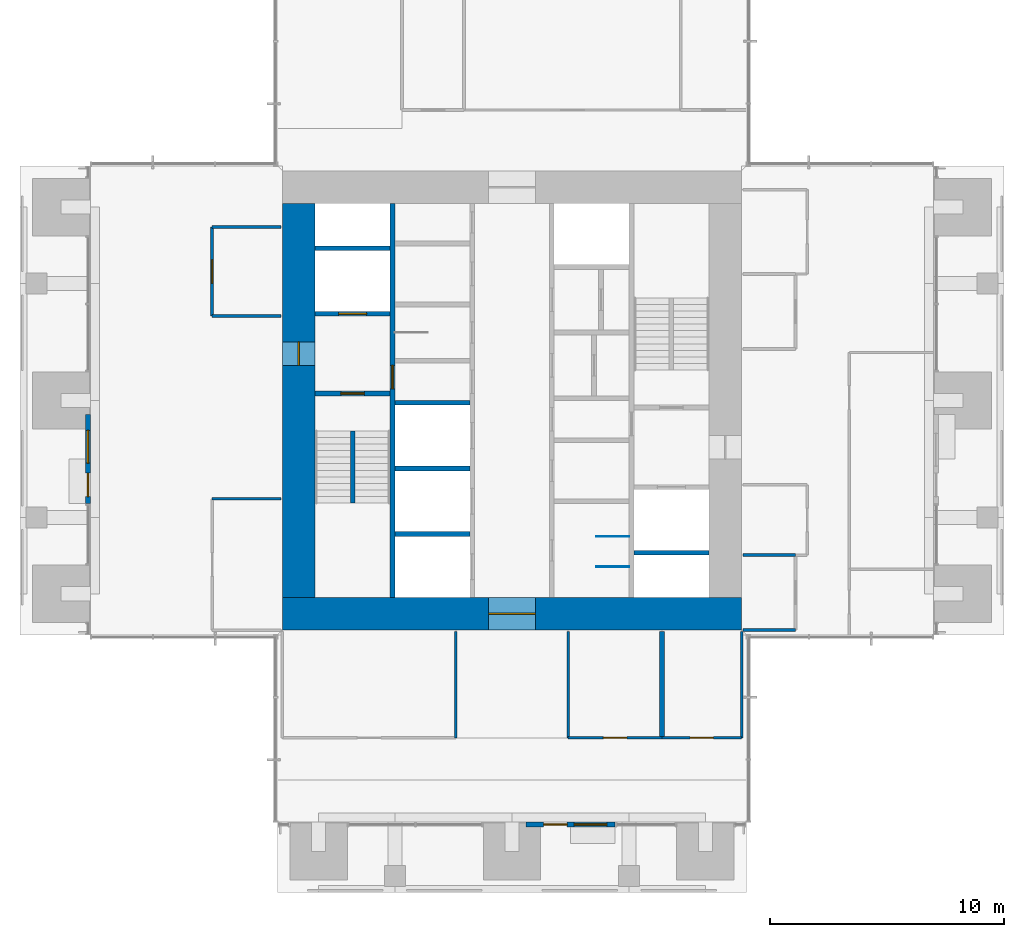
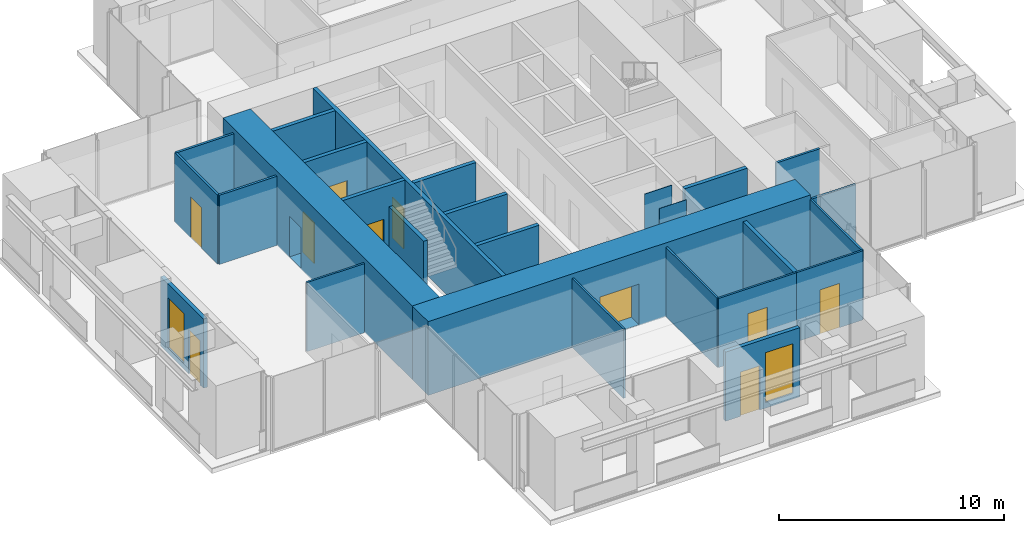
# One storey, part 12 of 17: 27 walls, 10 doors, 2 windows, 12 openings.
"""IFC4 building model written with IfcOpenShell, lengths in metres."""

import ifcopenshell
import ifcopenshell.guid

model = None  # the IFC model being written
_history = None  # IfcOwnerHistory: only IFC2X3 demands one
_inside = {}  # id of a spatial element -> (the spatial element, [elements in it])
_under = {}  # id of a project, library or spatial element -> (it, [spatial elements below it])
_declared = {}  # id of a project -> (the project, [libraries it declares])
_typed = {}  # id of a type object -> (the type object, [elements of that type])
_made_of = {}  # id of a material, layer set ... -> (it, [elements and type objects made of it])


def new_model(schema):
    """Start an empty IFC model of exactly this schema.

    Asked for "IFC4X3", IfcOpenShell would pick the latest addendum, in which some entities
    have other attributes; the version numbers below select the first issue.
    IFC2X3 requires an IfcOwnerHistory on every rooted entity: one is made here for all.
    """
    global model, _history
    if schema == "IFC4X3":
        model = ifcopenshell.file(schema_version=(4, 3, 0, 0))
    else:
        model = ifcopenshell.file(schema=schema)
    _inside.clear()
    _under.clear()
    _declared.clear()
    _typed.clear()
    _made_of.clear()
    _history = None
    if model.schema == "IFC2X3":
        org = make("IfcOrganization", Name="unknown")
        user = make(
            "IfcPersonAndOrganization",
            ThePerson=make("IfcPerson", FamilyName="unknown"),
            TheOrganization=org,
        )
        app = make(
            "IfcApplication",
            ApplicationDeveloper=org,
            Version="unknown",
            ApplicationFullName="unknown",
            ApplicationIdentifier="unknown",
        )
        _history = make(
            "IfcOwnerHistory",
            OwningUser=user,
            OwningApplication=app,
            ChangeAction="ADDED",
            CreationDate=0,
        )
    return model


def make(cls, **values):
    """One entity of the class cls with the attributes given. An attribute that is None is left unset."""
    return model.create_entity(
        cls, **{name: value for name, value in values.items() if value is not None}
    )


def rooted(cls, **values):
    """An entity with a GlobalId (a new one), such as an element, a storey or a relation."""
    return make(cls, GlobalId=ifcopenshell.guid.new(), OwnerHistory=_history, **values)


def si_unit(unit_type, name, prefix=None):
    """IfcSIUnit, for example si_unit("LENGTHUNIT", "METRE", prefix="MILLI")."""
    return make("IfcSIUnit", UnitType=unit_type, Prefix=prefix, Name=name)


def assignment(units):
    """IfcUnitAssignment: the units of a project."""
    return None if units is None else make("IfcUnitAssignment", Units=units)


def point(xyz):
    """IfcCartesianPoint."""
    return None if xyz is None else make("IfcCartesianPoint", Coordinates=xyz)


def direction(xyz):
    """IfcDirection."""
    return None if xyz is None else make("IfcDirection", DirectionRatios=xyz)


def frame(location, z_axis=None, x_axis=None):
    """IfcAxis2Placement3D, a coordinate frame: its origin and axes. An axis left out is left unset."""
    return make(
        "IfcAxis2Placement3D",
        Location=point(location),
        Axis=direction(z_axis),
        RefDirection=direction(x_axis),
    )


def frame_2d(location, x_axis=None):
    """IfcAxis2Placement2D, a coordinate frame in the plane: its origin and x axis."""
    return make(
        "IfcAxis2Placement2D", Location=point(location), RefDirection=direction(x_axis)
    )


def origin():
    """The frame at (0, 0, 0) with its axes left unset."""
    return frame((0.0, 0.0, 0.0))


def place(relative_to, where):
    """IfcLocalPlacement: puts the frame where relative to a parent placement (None: the world)."""
    return make(
        "IfcLocalPlacement", PlacementRelTo=relative_to, RelativePlacement=where
    )


def context(
    kind, dimensions, precision=None, world=None, true_north=None, identifier=None
):
    """IfcGeometricRepresentationContext, for example the 3D "Model" context."""
    return make(
        "IfcGeometricRepresentationContext",
        ContextIdentifier=identifier,
        ContextType=kind,
        CoordinateSpaceDimension=dimensions,
        Precision=precision,
        WorldCoordinateSystem=world,
        TrueNorth=true_north,
    )


def subcontext(parent, identifier, kind, view, scale=None):
    """IfcGeometricRepresentationSubContext, for example "Body" below "Model"."""
    return make(
        "IfcGeometricRepresentationSubContext",
        ContextIdentifier=identifier,
        ContextType=kind,
        ParentContext=parent,
        TargetScale=scale,
        TargetView=view,
    )


def project(units=None, contexts=None):
    """IfcProject with its units and contexts."""
    return rooted(
        "IfcProject",
        Name="project",
        RepresentationContexts=contexts,
        UnitsInContext=assignment(units),
    )


def spatial(cls, under=None, at=None, **own):
    """A site, building, storey or space (cls), placed at a placement, below another one or the project."""
    s = rooted(cls, ObjectPlacement=at, **own)
    if under is not None:
        _under.setdefault(under.id(), (under, []))[1].append(s)
    return s


def profile(cls, at=None, kind="AREA", **sizes):
    """A parametric profile (cls). Its sizes go by their IFC names, for example OverallWidth=200.0."""
    return make(cls, ProfileType=kind, Position=at, **sizes)


def rectangle(**sizes):
    """IfcRectangleProfileDef."""
    return profile("IfcRectangleProfileDef", **sizes)


def extrude(swept, where, along, depth):
    """IfcExtrudedAreaSolid: the profile swept, set in the frame where, extruded along a direction by depth."""
    return make(
        "IfcExtrudedAreaSolid",
        SweptArea=swept,
        Position=where,
        ExtrudedDirection=direction(along),
        Depth=depth,
    )


def shape(context_of_items, identifier, shape_type, items):
    """IfcShapeRepresentation: the items that make up one representation, for example the "Body"."""
    return make(
        "IfcShapeRepresentation",
        ContextOfItems=context_of_items,
        RepresentationIdentifier=identifier,
        RepresentationType=shape_type,
        Items=items,
    )


def material(Name=None, Category=None):
    """IfcMaterial."""
    return make("IfcMaterial", Name=Name, Category=Category)


def layer(
    of_material, thickness, ventilated=None, Name=None, Category=None, Priority=None
):
    """IfcMaterialLayer: one layer of a wall or slab, of a material (None: an air gap)."""
    return make(
        "IfcMaterialLayer",
        Material=of_material,
        LayerThickness=thickness,
        IsVentilated=ventilated,
        Name=Name,
        Category=Category,
        Priority=Priority,
    )


def layer_set(layers, Name=None):
    """IfcMaterialLayerSet."""
    return make("IfcMaterialLayerSet", MaterialLayers=layers, LayerSetName=Name)


def made_of(thing, what):
    """Note that an element or type object is made of a material, layer set ...; save() writes the relation."""
    if what is not None:
        _made_of.setdefault(what.id(), (what, []))[1].append(thing)
    return thing


def type_object(cls, material=None, **own):
    """A type object (cls), such as IfcWallType, which elements share."""
    return made_of(rooted(cls, **own), material)


def element(
    cls,
    number,
    at=None,
    inside=None,
    cuts=None,
    type_object=None,
    material=None,
    context=None,
    identifier="Body",
    shape_type=None,
    held_by="IfcProductDefinitionShape",
    body=None,
    shapes=None,
    **own,
):
    """One element of the class cls, such as IfcWall. Its Tag is "e" and its number.

    at: its placement. inside: the storey or other place that contains it. cuts: it is an
    opening in that element (IfcRelVoidsElement). A single representation is given by context,
    identifier, shape_type and body (its items); several are given by shapes. held_by: the class
    of the entity that holds the representations. save() writes the other relations.
    """
    e = rooted(cls, Tag="e%d" % number, ObjectPlacement=at, **own)
    if body is not None:
        shapes = [shape(context, identifier, shape_type, body)]
    if shapes is not None:
        e.Representation = make(held_by, Representations=shapes)
    if inside is not None:
        _inside.setdefault(inside.id(), (inside, []))[1].append(e)
    if cuts is not None:
        rooted(
            "IfcRelVoidsElement", RelatingBuildingElement=cuts, RelatedOpeningElement=e
        )
    if type_object is not None:
        _typed.setdefault(type_object.id(), (type_object, []))[1].append(e)
    return made_of(e, material)


def fill(opening, filler):
    """IfcRelFillsElement: the door or window that sits in an opening."""
    return rooted(
        "IfcRelFillsElement",
        RelatingOpeningElement=opening,
        RelatedBuildingElement=filler,
    )


def aggregate(whole, parts):
    """IfcRelAggregates: a whole, such as a stair, and the parts it consists of."""
    return rooted("IfcRelAggregates", RelatingObject=whole, RelatedObjects=parts)


def save(model, path):
    """Write the relations noted so far, then the file.

    IfcRelAggregates (storeys below a building ...), IfcRelContainedInSpatialStructure (elements
    in a storey), IfcRelDefinesByType, IfcRelAssociatesMaterial and IfcRelDeclares: one each for
    every whole, place, type object, material and project.
    """
    for whole, parts in _under.values():
        aggregate(whole, parts)
    for where, things in _inside.values():
        rooted(
            "IfcRelContainedInSpatialStructure",
            RelatedElements=things,
            RelatingStructure=where,
        )
    for kind, things in _typed.values():
        rooted("IfcRelDefinesByType", RelatedObjects=things, RelatingType=kind)
    for what, things in _made_of.values():
        rooted("IfcRelAssociatesMaterial", RelatedObjects=things, RelatingMaterial=what)
    for by, libraries in _declared.values():
        rooted("IfcRelDeclares", RelatingContext=by, RelatedDefinitions=libraries)
    model.write(path)


model = new_model("IFC4")

# Units and contexts
model_context = context("Model", 3, precision=1e-05, world=origin(), true_north=direction((0.0, 1.0)))
body_context = subcontext(model_context, "Body", "Model", "MODEL_VIEW")
ifc_project = project(units=[si_unit("LENGTHUNIT", "METRE"), si_unit("AREAUNIT", "SQUARE_METRE"), si_unit("VOLUMEUNIT", "CUBIC_METRE"), si_unit("PLANEANGLEUNIT", "RADIAN"), si_unit("MASSUNIT", "GRAM", prefix="KILO")], contexts=[model_context])

# Site, building, storey
site_placement = place(None, origin())
site = spatial("IfcSite", under=ifc_project, at=site_placement, CompositionType="ELEMENT")
building_placement = place(site_placement, origin())
building = spatial("IfcBuilding", under=site, at=building_placement, Name="Svetlomir Tower", CompositionType="ELEMENT")
storey_placement = place(building_placement, frame((0.0, 0.0, 226.5)))
storey = spatial("IfcBuildingStorey", under=building, at=storey_placement, Name="L54", CompositionType="ELEMENT", Elevation=226.5)

# Wall
ifc_material_1 = material(Name="Gypsum board on twin steel studs", Category="steel")
ifc_layer_1 = layer(ifc_material_1, 0.199951171875)
ifc_layer_set_1 = layer_set([ifc_layer_1], Name="Gypsum board on twin steel studs")
wall_type_1 = type_object("IfcWallType", Name="ACOUSTIC PARTITION 200", PredefinedType="PARTITIONING", material=ifc_layer_set_1)
wall_1_placement = place(storey_placement, frame((27.39990234375, 6.60009765625, 0.0), z_axis=(0.0, 0.0, 1.0), x_axis=(0.0, 1.0, 0.0)))
element("IfcWall", 1, at=wall_1_placement, inside=storey, type_object=wall_type_1, Name="Acoustic partition L54", PredefinedType="PARTITIONING", context=body_context, shape_type="SweptSolid", body=[
    extrude(rectangle(XDim=4.5498046875, YDim=0.199951171875, at=frame_2d((2.27490234375, 0.0))), origin(), (0.0, 0.0, 1.0), 3.75),
])

# Wall, openings, door, window
ifc_material_2 = material(Name="Bronze anodised aluminium glazed screen", Category="aluminium")
ifc_layer_2 = layer(ifc_material_2, 0.199951171875)
ifc_layer_set_2 = layer_set([ifc_layer_2], Name="Bronze anodised aluminium glazed screen")
wall_type_2 = type_object("IfcWallType", Name="BALCONY SCREEN WALL 200", PredefinedType="USERDEFINED", material=ifc_layer_set_2)
wall_2_placement = place(storey_placement, frame((21.60009765625, 2.89990234375, 0.0), z_axis=(0.0, 0.0, 1.0), x_axis=(1.0, 0.0, 0.0)))
wall_2 = element("IfcWall", 2, at=wall_2_placement, inside=storey, type_object=wall_type_2, Name="Balcony screen S", ObjectType="GLAZED SCREEN", PredefinedType="USERDEFINED", context=body_context, shape_type="SweptSolid", body=[
    extrude(rectangle(XDim=3.7998046875, YDim=0.199951171875, at=frame_2d((1.89990234375, 0.0))), origin(), (0.0, 0.0, 1.0), 3.75),
])
opening_1_placement = place(wall_2_placement, frame((0.75, 0.0, 0.0)))
opening_1 = element("IfcOpeningElement", 3, at=opening_1_placement, cuts=wall_2, Name="Opening BD", PredefinedType="OPENING", context=body_context, shape_type="SweptSolid", body=[
    extrude(rectangle(XDim=1.0, YDim=2.39990234375, at=frame_2d((0.5, 1.199951171875))), frame((0.0, 0.10986328125, 0.0), z_axis=(0.0, -1.0, 0.0), x_axis=(1.0, 0.0, 0.0)), (0.0, 0.0, 1.0), 0.219970703125),
])
opening_2_placement = place(wall_2_placement, frame((2.050048828125, 0.0, 0.300048828125)))
opening_2 = element("IfcOpeningElement", 4, at=opening_2_placement, cuts=wall_2, Name="Opening WS2", PredefinedType="OPENING", context=body_context, shape_type="SweptSolid", body=[
    extrude(rectangle(XDim=1.39990234375, YDim=2.699951171875, at=frame_2d((0.699951171875, 1.35009765625))), frame((0.0, 0.10986328125, 0.0), z_axis=(0.0, -1.0, 0.0), x_axis=(1.0, 0.0, 0.0)), (0.0, 0.0, 1.0), 0.219970703125),
])
ifc_material_3 = material(Name="Bronze anodised aluminium glazed door", Category="aluminium")
door_type_1 = type_object("IfcDoorType", Name="BALCONY DOOR BD 1000x2400", OperationType="SINGLE_SWING_LEFT", PredefinedType="DOOR", material=ifc_material_3)
door_1_placement = place(opening_1_placement, origin())
door_1 = element("IfcDoor", 5, at=door_1_placement, inside=storey, type_object=door_type_1, Name="Balcony screen S door", OperationType="SINGLE_SWING_LEFT", OverallHeight=2.39990234375, OverallWidth=1.0, PredefinedType="DOOR", context=body_context, shape_type="SweptSolid", body=[
    extrude(rectangle(XDim=1.0, YDim=2.39990234375, at=frame_2d((0.5, 1.199951171875))), frame((0.0, 0.02490234375, 0.0), z_axis=(0.0, -1.0, 0.0), x_axis=(1.0, 0.0, 0.0)), (0.0, 0.0, 1.0), 0.050048828125),
])
fill(opening_1, door_1)
ifc_material_4 = material(Name="Bronze anodised aluminium window", Category="aluminium")
window_type = type_object("IfcWindowType", Name="SCREEN WINDOW WS2 1400x2700", PartitioningType="SINGLE_PANEL", PredefinedType="WINDOW", material=ifc_material_4)
window_1_placement = place(opening_2_placement, origin())
window_1 = element("IfcWindow", 6, at=window_1_placement, inside=storey, type_object=window_type, Name="Balcony screen S window 1", OverallHeight=2.699951171875, OverallWidth=1.39990234375, PartitioningType="SINGLE_PANEL", PredefinedType="WINDOW", context=body_context, shape_type="SweptSolid", body=[
    extrude(rectangle(XDim=1.39990234375, YDim=2.699951171875, at=frame_2d((0.699951171875, 1.35009765625))), frame((0.0, 0.030029296875, 0.0), z_axis=(0.0, -1.0, 0.0), x_axis=(1.0, 0.0, 0.0)), (0.0, 0.0, 1.0), 0.06005859375),
])
fill(opening_2, window_1)

wall_3_placement = place(storey_placement, frame((2.89990234375, 20.39990234375, 0.0), z_axis=(0.0, 0.0, 1.0), x_axis=(0.0, -1.0, 0.0)))
wall_3 = element("IfcWall", 7, at=wall_3_placement, inside=storey, type_object=wall_type_2, Name="Balcony screen W", ObjectType="GLAZED SCREEN", PredefinedType="USERDEFINED", context=body_context, shape_type="SweptSolid", body=[
    extrude(rectangle(XDim=3.7998046875, YDim=0.199951171875, at=frame_2d((1.89990234375, 0.0))), origin(), (0.0, 0.0, 1.0), 3.75),
])
opening_3_placement = place(wall_3_placement, frame((2.5, 0.0, 0.0)))
opening_3 = element("IfcOpeningElement", 8, at=opening_3_placement, cuts=wall_3, Name="Opening BD", PredefinedType="OPENING", context=body_context, shape_type="SweptSolid", body=[
    extrude(rectangle(XDim=1.0, YDim=2.39990234375, at=frame_2d((0.5, 1.199951171875))), frame((0.0, 0.10986328125, 0.0), z_axis=(0.0, -1.0, 0.0), x_axis=(1.0, 0.0, 0.0)), (0.0, 0.0, 1.0), 0.219970703125),
])
opening_4_placement = place(wall_3_placement, frame((0.675048828125, 0.0, 0.300048828125)))
opening_4 = element("IfcOpeningElement", 9, at=opening_4_placement, cuts=wall_3, Name="Opening WS2", PredefinedType="OPENING", context=body_context, shape_type="SweptSolid", body=[
    extrude(rectangle(XDim=1.39990234375, YDim=2.699951171875, at=frame_2d((0.699951171875, 1.35009765625))), frame((0.0, 0.10986328125, 0.0), z_axis=(0.0, -1.0, 0.0), x_axis=(1.0, 0.0, 0.0)), (0.0, 0.0, 1.0), 0.219970703125),
])
door_2_placement = place(opening_3_placement, origin())
door_2 = element("IfcDoor", 10, at=door_2_placement, inside=storey, type_object=door_type_1, Name="Balcony screen W door", OperationType="SINGLE_SWING_LEFT", OverallHeight=2.39990234375, OverallWidth=1.0, PredefinedType="DOOR", context=body_context, shape_type="SweptSolid", body=[
    extrude(rectangle(XDim=1.0, YDim=2.39990234375, at=frame_2d((0.5, 1.199951171875))), frame((0.0, 0.02490234375, 0.0), z_axis=(0.0, -1.0, 0.0), x_axis=(1.0, 0.0, 0.0)), (0.0, 0.0, 1.0), 0.050048828125),
])
fill(opening_3, door_2)
window_2_placement = place(opening_4_placement, origin())
window_2 = element("IfcWindow", 11, at=window_2_placement, inside=storey, type_object=window_type, Name="Balcony screen W window 1", OverallHeight=2.699951171875, OverallWidth=1.39990234375, PartitioningType="SINGLE_PANEL", PredefinedType="WINDOW", context=body_context, shape_type="SweptSolid", body=[
    extrude(rectangle(XDim=1.39990234375, YDim=2.699951171875, at=frame_2d((0.699951171875, 1.35009765625))), frame((0.0, 0.030029296875, 0.0), z_axis=(0.0, -1.0, 0.0), x_axis=(1.0, 0.0, 0.0)), (0.0, 0.0, 1.0), 0.06005859375),
])
fill(opening_4, window_2)

# Wall, opening, door
ifc_material_5 = material(Name="Concrete C60/75", Category="concrete")
ifc_layer_3 = layer(ifc_material_5, 0.199951171875)
ifc_layer_set_3 = layer_set([ifc_layer_3], Name="Concrete C60/75")
wall_type_3 = type_object("IfcWallType", Name="CORE INNER WALL 200", PredefinedType="SHEAR", material=ifc_layer_set_3)
wall_4_placement = place(storey_placement, frame((15.89990234375, 12.60009765625, -0.050048828125), z_axis=(0.0, 0.0, 1.0), x_axis=(0.0, 1.0, 0.0)))
wall_4 = element("IfcWall", 12, at=wall_4_placement, inside=storey, type_object=wall_type_3, Name="Core inner wall 15.9 L54", PredefinedType="SHEAR", context=body_context, shape_type="SweptSolid", body=[
    extrude(rectangle(XDim=16.7998046875, YDim=0.199951171875, at=frame_2d((8.39990234375, 0.0))), origin(), (0.0, 0.0, 1.0), 4.0),
])
opening_5_placement = place(wall_4_placement, frame((8.89990234375, 0.0, 0.050048828125)))
opening_5 = element("IfcOpeningElement", 13, at=opening_5_placement, cuts=wall_4, Name="Opening DF", PredefinedType="OPENING", context=body_context, shape_type="SweptSolid", body=[
    extrude(rectangle(XDim=1.0, YDim=2.199951171875, at=frame_2d((0.5, 1.10009765625))), frame((0.0, 0.10986328125, 0.0), z_axis=(0.0, -1.0, 0.0), x_axis=(1.0, 0.0, 0.0)), (0.0, 0.0, 1.0), 0.219970703125),
])
ifc_material_6 = material(Name="Steel fire door", Category="steel")
door_type_2 = type_object("IfcDoorType", Name="DOOR DF 1000x2200", OperationType="SINGLE_SWING_LEFT", PredefinedType="DOOR", material=ifc_material_6)
door_3_placement = place(opening_5_placement, origin())
door_3 = element("IfcDoor", 14, at=door_3_placement, inside=storey, type_object=door_type_2, Name="Core corridor west door L54", OperationType="SINGLE_SWING_LEFT", OverallHeight=2.199951171875, OverallWidth=1.0, PredefinedType="DOOR", context=body_context, shape_type="SweptSolid", body=[
    extrude(rectangle(XDim=1.0, YDim=2.199951171875, at=frame_2d((0.5, 1.10009765625))), frame((0.0, 0.02490234375, 0.0), z_axis=(0.0, -1.0, 0.0), x_axis=(1.0, 0.0, 0.0)), (0.0, 0.0, 1.0), 0.050048828125),
])
fill(opening_5, door_3)

wall_5_placement = place(storey_placement, frame((12.60009765625, 21.300048828125, -0.050048828125), z_axis=(0.0, 0.0, 1.0), x_axis=(1.0, 0.0, 0.0)))
wall_5 = element("IfcWall", 15, at=wall_5_placement, inside=storey, type_object=wall_type_3, Name="Core inner wall 12.6-15.8/21.3 L54", PredefinedType="SHEAR", context=body_context, shape_type="SweptSolid", body=[
    extrude(rectangle(XDim=3.199951171875, YDim=0.199951171875, at=frame_2d((1.60009765625, 0.0))), origin(), (0.0, 0.0, 1.0), 4.0),
])
opening_6_placement = place(wall_5_placement, frame((1.10009765625, 0.0, 0.050048828125)))
opening_6 = element("IfcOpeningElement", 16, at=opening_6_placement, cuts=wall_5, Name="Opening DF", PredefinedType="OPENING", context=body_context, shape_type="SweptSolid", body=[
    extrude(rectangle(XDim=1.0, YDim=2.199951171875, at=frame_2d((0.5, 1.10009765625))), frame((0.0, 0.10986328125, 0.0), z_axis=(0.0, -1.0, 0.0), x_axis=(1.0, 0.0, 0.0)), (0.0, 0.0, 1.0), 0.219970703125),
])
door_4_placement = place(opening_6_placement, origin())
door_4 = element("IfcDoor", 17, at=door_4_placement, inside=storey, type_object=door_type_2, Name="Stair S1 door L54", OperationType="SINGLE_SWING_LEFT", OverallHeight=2.199951171875, OverallWidth=1.0, PredefinedType="DOOR", context=body_context, shape_type="SweptSolid", body=[
    extrude(rectangle(XDim=1.0, YDim=2.199951171875, at=frame_2d((0.5, 1.10009765625))), frame((0.0, 0.02490234375, 0.0), z_axis=(0.0, -1.0, 0.0), x_axis=(1.0, 0.0, 0.0)), (0.0, 0.0, 1.0), 0.050048828125),
])
fill(opening_6, door_4)

wall_6_placement = place(storey_placement, frame((12.60009765625, 24.699951171875, -0.050048828125), z_axis=(0.0, 0.0, 1.0), x_axis=(1.0, 0.0, 0.0)))
wall_6 = element("IfcWall", 18, at=wall_6_placement, inside=storey, type_object=wall_type_3, Name="Core inner wall 12.6-15.8/24.7 L54", PredefinedType="SHEAR", context=body_context, shape_type="SweptSolid", body=[
    extrude(rectangle(XDim=3.199951171875, YDim=0.199951171875, at=frame_2d((1.60009765625, 0.0))), origin(), (0.0, 0.0, 1.0), 4.0),
])
opening_7_placement = place(wall_6_placement, frame((1.0, 0.0, 0.050048828125)))
opening_7 = element("IfcOpeningElement", 19, at=opening_7_placement, cuts=wall_6, Name="Opening LD3", PredefinedType="OPENING", context=body_context, shape_type="SweptSolid", body=[
    extrude(rectangle(XDim=1.199951171875, YDim=2.199951171875, at=frame_2d((0.60009765625, 1.10009765625))), frame((0.0, 0.10986328125, 0.0), z_axis=(0.0, -1.0, 0.0), x_axis=(1.0, 0.0, 0.0)), (0.0, 0.0, 1.0), 0.219970703125),
])
ifc_material_7 = material(Name="Stainless steel fire-rated landing door", Category="steel")
door_type_3 = type_object("IfcDoorType", Name="FIREFIGHTING LIFT LANDING DOOR LD3 1200x2200", OperationType="DOUBLE_DOOR_SLIDING", PredefinedType="DOOR", material=ifc_material_7)
door_5_placement = place(opening_7_placement, origin())
door_5 = element("IfcDoor", 20, at=door_5_placement, inside=storey, type_object=door_type_3, Name="Landing door lift FL1 L54", OperationType="DOUBLE_DOOR_SLIDING", OverallHeight=2.199951171875, OverallWidth=1.199951171875, PredefinedType="DOOR", context=body_context, shape_type="SweptSolid", body=[
    extrude(rectangle(XDim=1.199951171875, YDim=2.199951171875, at=frame_2d((0.60009765625, 1.10009765625))), frame((0.0, 0.02490234375, 0.0), z_axis=(0.0, -1.0, 0.0), x_axis=(1.0, 0.0, 0.0)), (0.0, 0.0, 1.0), 0.050048828125),
])
fill(opening_7, door_5)

# Walls
for number, where, z_axis, x_axis, name in (
    (21, (12.60009765625, 27.5, -0.050048828125), (0.0, 0.0, 1.0), (1.0, 0.0, 0.0), "Core inner wall 12.6-15.8/27.5 L54"),
    (22, (16.0, 15.300048828125, -0.050048828125), (0.0, 0.0, 1.0), (1.0, 0.0, 0.0), "Core inner wall 16-19.2/15.3 L54"),
    (23, (16.0, 18.10009765625, -0.050048828125), (0.0, 0.0, 1.0), (1.0, 0.0, 0.0), "Core inner wall 16-19.2/18.1 L54"),
    (24, (16.0, 20.89990234375, -0.050048828125), (0.0, 0.0, 1.0), (1.0, 0.0, 0.0), "Core inner wall 16-19.2/20.9 L54"),
    (25, (26.199951171875, 14.5, -0.050048828125), (0.0, 0.0, 1.0), (1.0, 0.0, 0.0), "Core inner wall 26.2-29.4/14.5 L54"),
):
    element("IfcWall", number, at=place(storey_placement, frame(where, z_axis=z_axis, x_axis=x_axis)), inside=storey, type_object=wall_type_3, Name=name, PredefinedType="SHEAR", context=body_context, shape_type="SweptSolid", body=[
        extrude(rectangle(XDim=3.199951171875, YDim=0.199951171875, at=frame_2d((1.60009765625, 0.0))), origin(), (0.0, 0.0, 1.0), 4.0),
    ])

# Wall, opening, door
ifc_material_8 = material(Name="Concrete C60/75", Category="concrete")
ifc_layer_4 = layer(ifc_material_8, 1.39990234375)
ifc_layer_set_4 = layer_set([ifc_layer_4], Name="Concrete C60/75")
wall_type_4 = type_object("IfcWallType", Name="CORE WALL 1400", PredefinedType="SHEAR", material=ifc_layer_set_4)
wall_7_placement = place(storey_placement, frame((11.199951171875, 11.89990234375, -0.050048828125), z_axis=(0.0, 0.0, 1.0), x_axis=(1.0, 0.0, 0.0)))
wall_7 = element("IfcWall", 26, at=wall_7_placement, inside=storey, type_object=wall_type_4, Name="Core wall south L54", PredefinedType="SHEAR", context=body_context, shape_type="SweptSolid", body=[
    extrude(rectangle(XDim=19.60009765625, YDim=1.39990234375, at=frame_2d((9.800048828125, 0.0))), origin(), (0.0, 0.0, 1.0), 4.0),
])
opening_8_placement = place(wall_7_placement, frame((8.800048828125, 0.0, 0.050048828125)))
opening_8 = element("IfcOpeningElement", 27, at=opening_8_placement, cuts=wall_7, Name="Opening DL", PredefinedType="OPENING", context=body_context, shape_type="SweptSolid", body=[
    extrude(rectangle(XDim=2.0, YDim=2.199951171875, at=frame_2d((1.0, 1.10009765625))), frame((0.0, 0.7099609375, 0.0), z_axis=(0.0, -1.0, 0.0), x_axis=(1.0, 0.0, 0.0)), (0.0, 0.0, 1.0), 1.419921875),
])
ifc_material_9 = material(Name="Steel fire door", Category="steel")
door_type_4 = type_object("IfcDoorType", Name="DOOR DL 2000x2200", OperationType="DOUBLE_DOOR_SINGLE_SWING", PredefinedType="DOOR", material=ifc_material_9)
door_6_placement = place(opening_8_placement, origin())
door_6 = element("IfcDoor", 28, at=door_6_placement, inside=storey, type_object=door_type_4, Name="Lift lobby south door L54", OperationType="DOUBLE_DOOR_SINGLE_SWING", OverallHeight=2.199951171875, OverallWidth=2.0, PredefinedType="DOOR", context=body_context, shape_type="SweptSolid", body=[
    extrude(rectangle(XDim=2.0, YDim=2.199951171875, at=frame_2d((1.0, 1.10009765625))), frame((0.0, 0.02490234375, 0.0), z_axis=(0.0, -1.0, 0.0), x_axis=(1.0, 0.0, 0.0)), (0.0, 0.0, 1.0), 0.050048828125),
])
fill(opening_8, door_6)

wall_8_placement = place(storey_placement, frame((11.89990234375, 12.60009765625, -0.050048828125), z_axis=(0.0, 0.0, 1.0), x_axis=(0.0, 1.0, 0.0)))
wall_8 = element("IfcWall", 29, at=wall_8_placement, inside=storey, type_object=wall_type_4, Name="Core wall west L54", PredefinedType="SHEAR", context=body_context, shape_type="SweptSolid", body=[
    extrude(rectangle(XDim=16.7998046875, YDim=1.39990234375, at=frame_2d((8.39990234375, 0.0))), origin(), (0.0, 0.0, 1.0), 4.0),
])
opening_9_placement = place(wall_8_placement, frame((9.89990234375, 0.0, 0.050048828125)))
opening_9 = element("IfcOpeningElement", 30, at=opening_9_placement, cuts=wall_8, Name="Opening DF", PredefinedType="OPENING", context=body_context, shape_type="SweptSolid", body=[
    extrude(rectangle(XDim=1.0, YDim=2.199951171875, at=frame_2d((0.5, 1.10009765625))), frame((0.0, 0.7099609375, 0.0), z_axis=(0.0, -1.0, 0.0), x_axis=(1.0, 0.0, 0.0)), (0.0, 0.0, 1.0), 1.419921875),
])
door_7_placement = place(opening_9_placement, origin())
door_7 = element("IfcDoor", 31, at=door_7_placement, inside=storey, type_object=door_type_2, Name="Firefighting lobby west door L54", OperationType="SINGLE_SWING_LEFT", OverallHeight=2.199951171875, OverallWidth=1.0, PredefinedType="DOOR", context=body_context, shape_type="SweptSolid", body=[
    extrude(rectangle(XDim=1.0, YDim=2.199951171875, at=frame_2d((0.5, 1.10009765625))), frame((0.0, 0.02490234375, 0.0), z_axis=(0.0, -1.0, 0.0), x_axis=(1.0, 0.0, 0.0)), (0.0, 0.0, 1.0), 0.050048828125),
])
fill(opening_9, door_7)

# Walls
ifc_material_10 = material(Name="Framed laminated glass partition", Category="glass")
ifc_layer_5 = layer(ifc_material_10, 0.10009765625)
ifc_layer_set_5 = layer_set([ifc_layer_5], Name="Framed laminated glass partition")
wall_type_5 = type_object("IfcWallType", Name="GLAZED PARTITION 100", PredefinedType="PARTITIONING", material=ifc_layer_set_5)
wall_9_placement = place(storey_placement, frame((8.199951171875, 16.800048828125, 0.0), z_axis=(0.0, 0.0, 1.0), x_axis=(1.0, 0.0, 0.0)))
element("IfcWall", 32, at=wall_9_placement, inside=storey, type_object=wall_type_5, Name="Glazed partition L54", PredefinedType="PARTITIONING", context=body_context, shape_type="SweptSolid", body=[
    extrude(rectangle(XDim=2.949951171875, YDim=0.10009765625, at=frame_2d((1.47509765625, 0.0))), origin(), (0.0, 0.0, 1.0), 3.75),
])
for number, where, z_axis, x_axis, name in (
    (33, (18.60009765625, 6.60009765625, 0.0), (0.0, 0.0, 1.0), (0.0, 1.0, 0.0), "Glazed partition L54"),
    (34, (23.39990234375, 6.60009765625, 0.0), (0.0, 0.0, 1.0), (0.0, 1.0, 0.0), "Glazed partition L54"),
):
    element("IfcWall", number, at=place(storey_placement, frame(where, z_axis=z_axis, x_axis=x_axis)), inside=storey, type_object=wall_type_5, Name=name, PredefinedType="PARTITIONING", context=body_context, shape_type="SweptSolid", body=[
        extrude(rectangle(XDim=4.5498046875, YDim=0.10009765625, at=frame_2d((2.27490234375, 0.0))), origin(), (0.0, 0.0, 1.0), 3.75),
    ])

# Wall, opening, door
wall_10_placement = place(storey_placement, frame((23.39990234375, 6.60009765625, 0.0), z_axis=(0.0, 0.0, 1.0), x_axis=(1.0, 0.0, 0.0)))
wall_10 = element("IfcWall", 35, at=wall_10_placement, inside=storey, type_object=wall_type_5, Name="Glazed partition L54", PredefinedType="PARTITIONING", context=body_context, shape_type="SweptSolid", body=[
    extrude(rectangle(XDim=4.0, YDim=0.10009765625, at=frame_2d((2.0, 0.0))), origin(), (0.0, 0.0, 1.0), 3.75),
])
opening_10_placement = place(wall_10_placement, frame((1.5, 0.0, 0.0)))
opening_10 = element("IfcOpeningElement", 36, at=opening_10_placement, cuts=wall_10, Name="Opening DG", PredefinedType="OPENING", context=body_context, shape_type="SweptSolid", body=[
    extrude(rectangle(XDim=1.0, YDim=2.39990234375, at=frame_2d((0.5, 1.199951171875))), frame((0.0, 0.06005859375, 0.0), z_axis=(0.0, -1.0, 0.0), x_axis=(1.0, 0.0, 0.0)), (0.0, 0.0, 1.0), 0.1201171875),
])
ifc_material_11 = material(Name="Framed laminated glass door", Category="glass")
door_type_5 = type_object("IfcDoorType", Name="GLAZED DOOR DG 1000x2400", OperationType="SINGLE_SWING_LEFT", PredefinedType="DOOR", material=ifc_material_11)
door_8_placement = place(opening_10_placement, origin())
door_8 = element("IfcDoor", 37, at=door_8_placement, inside=storey, type_object=door_type_5, Name="Meeting room, 6 seats 1 door L54", OperationType="SINGLE_SWING_RIGHT", OverallHeight=2.39990234375, OverallWidth=1.0, PredefinedType="DOOR", context=body_context, shape_type="SweptSolid", body=[
    extrude(rectangle(XDim=1.0, YDim=2.39990234375, at=frame_2d((0.5, 1.199951171875))), frame((0.0, 0.02490234375, 0.0), z_axis=(0.0, -1.0, 0.0), x_axis=(1.0, 0.0, 0.0)), (0.0, 0.0, 1.0), 0.050048828125),
])
fill(opening_10, door_8)

wall_11_placement = place(storey_placement, frame((27.39990234375, 6.60009765625, 0.0), z_axis=(0.0, 0.0, 1.0), x_axis=(1.0, 0.0, 0.0)))
wall_11 = element("IfcWall", 38, at=wall_11_placement, inside=storey, type_object=wall_type_5, Name="Glazed partition L54", PredefinedType="PARTITIONING", context=body_context, shape_type="SweptSolid", body=[
    extrude(rectangle(XDim=3.400146484375, YDim=0.10009765625, at=frame_2d((1.7001953125, 0.0))), origin(), (0.0, 0.0, 1.0), 3.75),
])
opening_11_placement = place(wall_11_placement, frame((1.199951171875, 0.0, 0.0)))
opening_11 = element("IfcOpeningElement", 39, at=opening_11_placement, cuts=wall_11, Name="Opening DG", PredefinedType="OPENING", context=body_context, shape_type="SweptSolid", body=[
    extrude(rectangle(XDim=1.0, YDim=2.39990234375, at=frame_2d((0.5, 1.199951171875))), frame((0.0, 0.06005859375, 0.0), z_axis=(0.0, -1.0, 0.0), x_axis=(1.0, 0.0, 0.0)), (0.0, 0.0, 1.0), 0.1201171875),
])
door_9_placement = place(opening_11_placement, origin())
door_9 = element("IfcDoor", 40, at=door_9_placement, inside=storey, type_object=door_type_5, Name="Meeting room, 4 seats door L54", OperationType="SINGLE_SWING_RIGHT", OverallHeight=2.39990234375, OverallWidth=1.0, PredefinedType="DOOR", context=body_context, shape_type="SweptSolid", body=[
    extrude(rectangle(XDim=1.0, YDim=2.39990234375, at=frame_2d((0.5, 1.199951171875))), frame((0.0, 0.02490234375, 0.0), z_axis=(0.0, -1.0, 0.0), x_axis=(1.0, 0.0, 0.0)), (0.0, 0.0, 1.0), 0.050048828125),
])
fill(opening_11, door_9)

# Wall
wall_12_placement = place(storey_placement, frame((30.800048828125, 6.60009765625, 0.0), z_axis=(0.0, 0.0, 1.0), x_axis=(0.0, 1.0, 0.0)))
element("IfcWall", 41, at=wall_12_placement, inside=storey, type_object=wall_type_5, Name="Glazed partition L54", PredefinedType="PARTITIONING", context=body_context, shape_type="SweptSolid", body=[
    extrude(rectangle(XDim=4.5498046875, YDim=0.10009765625, at=frame_2d((2.27490234375, 0.0))), origin(), (0.0, 0.0, 1.0), 3.75),
])

# Wall, opening, door
ifc_material_12 = material(Name="Gypsum board on steel studs", Category="steel")
ifc_layer_6 = layer(ifc_material_12, 0.1201171875)
ifc_layer_set_6 = layer_set([ifc_layer_6], Name="Gypsum board on steel studs")
wall_type_6 = type_object("IfcWallType", Name="PARTITION 120", PredefinedType="PARTITIONING", material=ifc_layer_set_6)
wall_13_placement = place(storey_placement, frame((8.199951171875, 24.60009765625, 0.0), z_axis=(0.0, 0.0, 1.0), x_axis=(0.0, 1.0, 0.0)))
wall_13 = element("IfcWall", 42, at=wall_13_placement, inside=storey, type_object=wall_type_6, Name="Partition L54", PredefinedType="PARTITIONING", context=body_context, shape_type="SweptSolid", body=[
    extrude(rectangle(XDim=3.7998046875, YDim=0.1201171875, at=frame_2d((1.89990234375, 0.0))), origin(), (0.0, 0.0, 1.0), 3.75),
])
opening_12_placement = place(wall_13_placement, frame((1.39990234375, 0.0, 0.0)))
opening_12 = element("IfcOpeningElement", 43, at=opening_12_placement, cuts=wall_13, Name="Opening DR", PredefinedType="OPENING", context=body_context, shape_type="SweptSolid", body=[
    extrude(rectangle(XDim=1.0, YDim=2.199951171875, at=frame_2d((0.5, 1.10009765625))), frame((0.0, 0.070068359375, 0.0), z_axis=(0.0, -1.0, 0.0), x_axis=(1.0, 0.0, 0.0)), (0.0, 0.0, 1.0), 0.14013671875),
])
ifc_material_13 = material(Name="Timber door, glazed side light", Category="wood")
door_type_6 = type_object("IfcDoorType", Name="DOOR DR 1000x2200", OperationType="SINGLE_SWING_LEFT", PredefinedType="DOOR", material=ifc_material_13)
door_10_placement = place(opening_12_placement, origin())
door_10 = element("IfcDoor", 44, at=door_10_placement, inside=storey, type_object=door_type_6, Name="Speechwriters office door L54", OperationType="SINGLE_SWING_LEFT", OverallHeight=2.199951171875, OverallWidth=1.0, PredefinedType="DOOR", context=body_context, shape_type="SweptSolid", body=[
    extrude(rectangle(XDim=1.0, YDim=2.199951171875, at=frame_2d((0.5, 1.10009765625))), frame((0.0, 0.02490234375, 0.0), z_axis=(0.0, -1.0, 0.0), x_axis=(1.0, 0.0, 0.0)), (0.0, 0.0, 1.0), 0.050048828125),
])
fill(opening_12, door_10)

# Walls
for number, where, z_axis, x_axis, name in (
    (45, (8.199951171875, 24.60009765625, 0.0), (0.0, 0.0, 1.0), (1.0, 0.0, 0.0), "Partition L54"),
    (46, (8.199951171875, 28.39990234375, 0.0), (0.0, 0.0, 1.0), (1.0, 0.0, 0.0), "Partition L54"),
):
    element("IfcWall", number, at=place(storey_placement, frame(where, z_axis=z_axis, x_axis=x_axis)), inside=storey, type_object=wall_type_6, Name=name, PredefinedType="PARTITIONING", context=body_context, shape_type="SweptSolid", body=[
        extrude(rectangle(XDim=2.949951171875, YDim=0.1201171875, at=frame_2d((1.47509765625, 0.0))), origin(), (0.0, 0.0, 1.0), 3.75),
    ])
for number, where, z_axis, x_axis, name in (
    (47, (30.85009765625, 11.199951171875, 0.0), (0.0, 0.0, 1.0), (1.0, 0.0, 0.0), "Partition L54"),
    (48, (30.85009765625, 14.39990234375, 0.0), (0.0, 0.0, 1.0), (1.0, 0.0, 0.0), "Partition L54"),
):
    element("IfcWall", number, at=place(storey_placement, frame(where, z_axis=z_axis, x_axis=x_axis)), inside=storey, type_object=wall_type_6, Name=name, PredefinedType="PARTITIONING", context=body_context, shape_type="SweptSolid", body=[
        extrude(rectangle(XDim=2.25, YDim=0.1201171875, at=frame_2d((1.125, 0.0))), origin(), (0.0, 0.0, 1.0), 3.75),
    ])
ifc_material_14 = material(Name="Concrete C60/75", Category="concrete")
ifc_layer_7 = layer(ifc_material_14, 0.199951171875)
ifc_layer_set_7 = layer_set([ifc_layer_7], Name="Concrete C60/75")
wall_type_7 = type_object("IfcWallType", Name="STAIR SPINE WALL 200", PredefinedType="PARTITIONING", material=ifc_layer_set_7)
wall_14_placement = place(storey_placement, frame((14.199951171875, 16.6201171875, 0.0), z_axis=(0.0, 0.0, 1.0), x_axis=(0.0, 1.0, 0.0)))
element("IfcWall", 49, at=wall_14_placement, inside=storey, type_object=wall_type_7, Name="Stair S1 spine wall L54", PredefinedType="PARTITIONING", context=body_context, shape_type="SweptSolid", body=[
    extrude(rectangle(XDim=3.079833984375, YDim=0.199951171875, at=frame_2d((1.5400390625, 0.0))), origin(), (0.0, 0.0, 1.0), 4.0),
])
ifc_material_15 = material(Name="Compact laminate panel", Category="plastic")
ifc_layer_8 = layer(ifc_material_15, 0.030029296875)
ifc_layer_set_8 = layer_set([ifc_layer_8], Name="Compact laminate panel")
wall_type_8 = type_object("IfcWallType", Name="WC CUBICLE PARTITION 30", PredefinedType="PARTITIONING", material=ifc_layer_set_8)
for number, where, z_axis, x_axis, name in (
    (50, (24.60009765625, 13.89990234375, 0.0), (0.0, 0.0, 1.0), (1.0, 0.0, 0.0), "WC cubicle partition L54"),
    (51, (24.60009765625, 15.199951171875, 0.0), (0.0, 0.0, 1.0), (1.0, 0.0, 0.0), "WC cubicle partition L54"),
):
    element("IfcWall", number, at=place(storey_placement, frame(where, z_axis=z_axis, x_axis=x_axis)), inside=storey, type_object=wall_type_8, Name=name, PredefinedType="PARTITIONING", context=body_context, shape_type="SweptSolid", body=[
        extrude(rectangle(XDim=1.39990234375, YDim=0.030029296875, at=frame_2d((0.699951171875, 0.0))), origin(), (0.0, 0.0, 1.0), 3.75),
    ])

save(model, "model.ifc")
